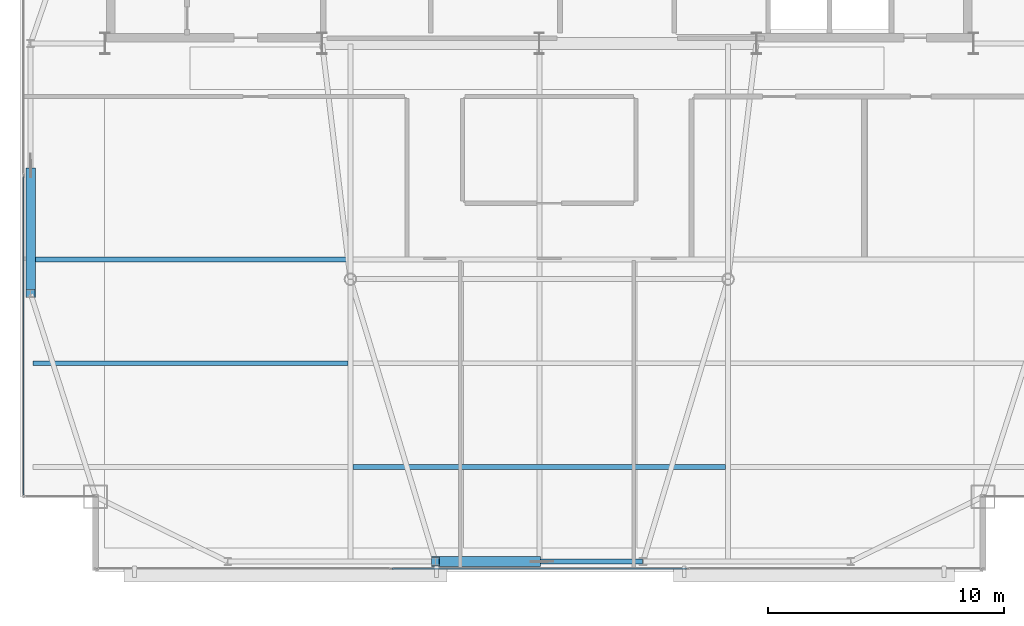
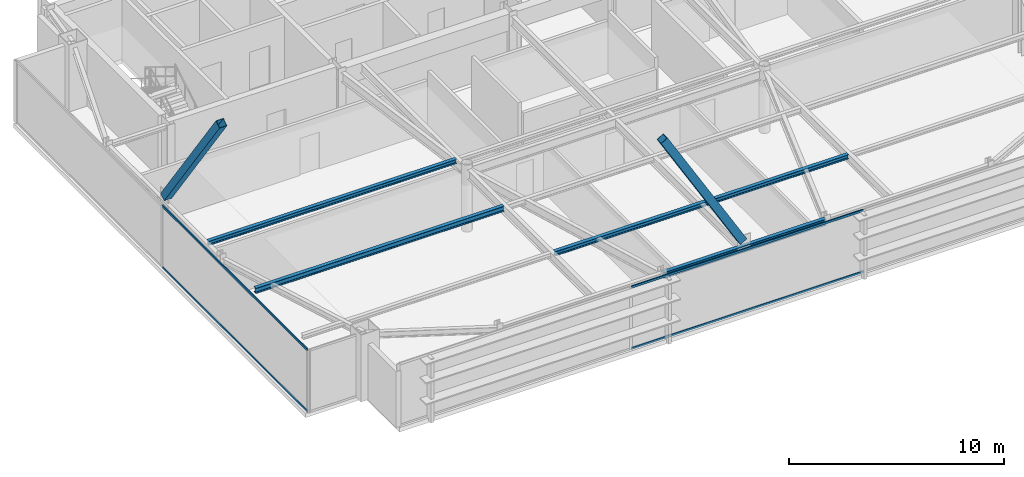
# One storey, part 7 of 24: 6 members, 4 beams, 2 elements without a shape of their own.
"""IFC4 building model written with IfcOpenShell, lengths in metres."""

import ifcopenshell
import ifcopenshell.guid

model = None  # the IFC model being written
_history = None  # IfcOwnerHistory: only IFC2X3 demands one
_inside = {}  # id of a spatial element -> (the spatial element, [elements in it])
_under = {}  # id of a project, library or spatial element -> (it, [spatial elements below it])
_declared = {}  # id of a project -> (the project, [libraries it declares])
_typed = {}  # id of a type object -> (the type object, [elements of that type])
_made_of = {}  # id of a material, layer set ... -> (it, [elements and type objects made of it])


def new_model(schema):
    """Start an empty IFC model of exactly this schema.

    Asked for "IFC4X3", IfcOpenShell would pick the latest addendum, in which some entities
    have other attributes; the version numbers below select the first issue.
    IFC2X3 requires an IfcOwnerHistory on every rooted entity: one is made here for all.
    """
    global model, _history
    if schema == "IFC4X3":
        model = ifcopenshell.file(schema_version=(4, 3, 0, 0))
    else:
        model = ifcopenshell.file(schema=schema)
    _inside.clear()
    _under.clear()
    _declared.clear()
    _typed.clear()
    _made_of.clear()
    _history = None
    if model.schema == "IFC2X3":
        org = make("IfcOrganization", Name="unknown")
        user = make(
            "IfcPersonAndOrganization",
            ThePerson=make("IfcPerson", FamilyName="unknown"),
            TheOrganization=org,
        )
        app = make(
            "IfcApplication",
            ApplicationDeveloper=org,
            Version="unknown",
            ApplicationFullName="unknown",
            ApplicationIdentifier="unknown",
        )
        _history = make(
            "IfcOwnerHistory",
            OwningUser=user,
            OwningApplication=app,
            ChangeAction="ADDED",
            CreationDate=0,
        )
    return model


def make(cls, **values):
    """One entity of the class cls with the attributes given. An attribute that is None is left unset."""
    return model.create_entity(
        cls, **{name: value for name, value in values.items() if value is not None}
    )


def rooted(cls, **values):
    """An entity with a GlobalId (a new one), such as an element, a storey or a relation."""
    return make(cls, GlobalId=ifcopenshell.guid.new(), OwnerHistory=_history, **values)


def si_unit(unit_type, name, prefix=None):
    """IfcSIUnit, for example si_unit("LENGTHUNIT", "METRE", prefix="MILLI")."""
    return make("IfcSIUnit", UnitType=unit_type, Prefix=prefix, Name=name)


def assignment(units):
    """IfcUnitAssignment: the units of a project."""
    return None if units is None else make("IfcUnitAssignment", Units=units)


def point(xyz):
    """IfcCartesianPoint."""
    return None if xyz is None else make("IfcCartesianPoint", Coordinates=xyz)


def direction(xyz):
    """IfcDirection."""
    return None if xyz is None else make("IfcDirection", DirectionRatios=xyz)


def frame(location, z_axis=None, x_axis=None):
    """IfcAxis2Placement3D, a coordinate frame: its origin and axes. An axis left out is left unset."""
    return make(
        "IfcAxis2Placement3D",
        Location=point(location),
        Axis=direction(z_axis),
        RefDirection=direction(x_axis),
    )


def frame_2d(location, x_axis=None):
    """IfcAxis2Placement2D, a coordinate frame in the plane: its origin and x axis."""
    return make(
        "IfcAxis2Placement2D", Location=point(location), RefDirection=direction(x_axis)
    )


def origin():
    """The frame at (0, 0, 0) with its axes left unset."""
    return frame((0.0, 0.0, 0.0))


def origin_2d():
    """The frame at (0, 0) in the plane with its x axis left unset."""
    return frame_2d((0.0, 0.0))


def place(relative_to, where):
    """IfcLocalPlacement: puts the frame where relative to a parent placement (None: the world)."""
    return make(
        "IfcLocalPlacement", PlacementRelTo=relative_to, RelativePlacement=where
    )


def context(
    kind, dimensions, precision=None, world=None, true_north=None, identifier=None
):
    """IfcGeometricRepresentationContext, for example the 3D "Model" context."""
    return make(
        "IfcGeometricRepresentationContext",
        ContextIdentifier=identifier,
        ContextType=kind,
        CoordinateSpaceDimension=dimensions,
        Precision=precision,
        WorldCoordinateSystem=world,
        TrueNorth=true_north,
    )


def subcontext(parent, identifier, kind, view, scale=None):
    """IfcGeometricRepresentationSubContext, for example "Body" below "Model"."""
    return make(
        "IfcGeometricRepresentationSubContext",
        ContextIdentifier=identifier,
        ContextType=kind,
        ParentContext=parent,
        TargetScale=scale,
        TargetView=view,
    )


def project(units=None, contexts=None):
    """IfcProject with its units and contexts."""
    return rooted(
        "IfcProject",
        Name="project",
        RepresentationContexts=contexts,
        UnitsInContext=assignment(units),
    )


def spatial(cls, under=None, at=None, **own):
    """A site, building, storey or space (cls), placed at a placement, below another one or the project."""
    s = rooted(cls, ObjectPlacement=at, **own)
    if under is not None:
        _under.setdefault(under.id(), (under, []))[1].append(s)
    return s


def profile(cls, at=None, kind="AREA", **sizes):
    """A parametric profile (cls). Its sizes go by their IFC names, for example OverallWidth=200.0."""
    return make(cls, ProfileType=kind, Position=at, **sizes)


def hollow_rectangle(**sizes):
    """IfcRectangleHollowProfileDef."""
    return profile("IfcRectangleHollowProfileDef", **sizes)


def i_section(**sizes):
    """IfcIShapeProfileDef."""
    return profile("IfcIShapeProfileDef", **sizes)


def extrude(swept, where, along, depth):
    """IfcExtrudedAreaSolid: the profile swept, set in the frame where, extruded along a direction by depth."""
    return make(
        "IfcExtrudedAreaSolid",
        SweptArea=swept,
        Position=where,
        ExtrudedDirection=direction(along),
        Depth=depth,
    )


def shape(context_of_items, identifier, shape_type, items):
    """IfcShapeRepresentation: the items that make up one representation, for example the "Body"."""
    return make(
        "IfcShapeRepresentation",
        ContextOfItems=context_of_items,
        RepresentationIdentifier=identifier,
        RepresentationType=shape_type,
        Items=items,
    )


def source(mapping_origin, context_of_items, identifier, shape_type, items):
    """IfcRepresentationMap: a shape defined once, which mapped items show again and again."""
    return make(
        "IfcRepresentationMap",
        MappingOrigin=mapping_origin,
        MappedRepresentation=shape(context_of_items, identifier, shape_type, items),
    )


def transform(
    local_origin,
    x_axis=None,
    y_axis=None,
    z_axis=None,
    scale=None,
    scale2=None,
    scale3=None,
    uniform=True,
):
    """IfcCartesianTransformationOperator3D, or its non-uniform kind. x_axis, y_axis, z_axis: its Axis1, 2, 3."""
    if uniform:
        return make(
            "IfcCartesianTransformationOperator3D",
            Axis1=direction(x_axis),
            Axis2=direction(y_axis),
            LocalOrigin=point(local_origin),
            Scale=scale,
            Axis3=direction(z_axis),
        )
    return make(
        "IfcCartesianTransformationOperator3DnonUniform",
        Axis1=direction(x_axis),
        Axis2=direction(y_axis),
        LocalOrigin=point(local_origin),
        Scale=scale,
        Axis3=direction(z_axis),
        Scale2=scale2,
        Scale3=scale3,
    )


def mapped(mapping_source, mapping_target):
    """IfcMappedItem: shows the shape of a source again, moved by a transform."""
    return make(
        "IfcMappedItem", MappingSource=mapping_source, MappingTarget=mapping_target
    )


def material(Name=None, Category=None):
    """IfcMaterial."""
    return make("IfcMaterial", Name=Name, Category=Category)


def layer(
    of_material, thickness, ventilated=None, Name=None, Category=None, Priority=None
):
    """IfcMaterialLayer: one layer of a wall or slab, of a material (None: an air gap)."""
    return make(
        "IfcMaterialLayer",
        Material=of_material,
        LayerThickness=thickness,
        IsVentilated=ventilated,
        Name=Name,
        Category=Category,
        Priority=Priority,
    )


def layer_set(layers, Name=None):
    """IfcMaterialLayerSet."""
    return make("IfcMaterialLayerSet", MaterialLayers=layers, LayerSetName=Name)


def material_profile(
    of_material, cross_section, Name=None, Category=None, Priority=None
):
    """IfcMaterialProfile: a cross section and its material."""
    return make(
        "IfcMaterialProfile",
        Name=Name,
        Material=of_material,
        Profile=cross_section,
        Priority=Priority,
        Category=Category,
    )


def profile_set(profiles, Name=None, composite=None):
    """IfcMaterialProfileSet."""
    return make(
        "IfcMaterialProfileSet",
        Name=Name,
        MaterialProfiles=profiles,
        CompositeProfile=composite,
    )


def made_of(thing, what):
    """Note that an element or type object is made of a material, layer set ...; save() writes the relation."""
    if what is not None:
        _made_of.setdefault(what.id(), (what, []))[1].append(thing)
    return thing


def type_object(cls, material=None, **own):
    """A type object (cls), such as IfcWallType, which elements share."""
    return made_of(rooted(cls, **own), material)


def type_shapes(of_type, sources):
    """Give a type object the sources (RepresentationMaps) that its elements show as mapped items."""
    of_type.RepresentationMaps = sources


def element(
    cls,
    number,
    at=None,
    inside=None,
    cuts=None,
    type_object=None,
    material=None,
    context=None,
    identifier="Body",
    shape_type=None,
    held_by="IfcProductDefinitionShape",
    body=None,
    shapes=None,
    **own,
):
    """One element of the class cls, such as IfcWall. Its Tag is "e" and its number.

    at: its placement. inside: the storey or other place that contains it. cuts: it is an
    opening in that element (IfcRelVoidsElement). A single representation is given by context,
    identifier, shape_type and body (its items); several are given by shapes. held_by: the class
    of the entity that holds the representations. save() writes the other relations.
    """
    e = rooted(cls, Tag="e%d" % number, ObjectPlacement=at, **own)
    if body is not None:
        shapes = [shape(context, identifier, shape_type, body)]
    if shapes is not None:
        e.Representation = make(held_by, Representations=shapes)
    if inside is not None:
        _inside.setdefault(inside.id(), (inside, []))[1].append(e)
    if cuts is not None:
        rooted(
            "IfcRelVoidsElement", RelatingBuildingElement=cuts, RelatedOpeningElement=e
        )
    if type_object is not None:
        _typed.setdefault(type_object.id(), (type_object, []))[1].append(e)
    return made_of(e, material)


def aggregate(whole, parts):
    """IfcRelAggregates: a whole, such as a stair, and the parts it consists of."""
    return rooted("IfcRelAggregates", RelatingObject=whole, RelatedObjects=parts)


def save(model, path):
    """Write the relations noted so far, then the file.

    IfcRelAggregates (storeys below a building ...), IfcRelContainedInSpatialStructure (elements
    in a storey), IfcRelDefinesByType, IfcRelAssociatesMaterial and IfcRelDeclares: one each for
    every whole, place, type object, material and project.
    """
    for whole, parts in _under.values():
        aggregate(whole, parts)
    for where, things in _inside.values():
        rooted(
            "IfcRelContainedInSpatialStructure",
            RelatedElements=things,
            RelatingStructure=where,
        )
    for kind, things in _typed.values():
        rooted("IfcRelDefinesByType", RelatedObjects=things, RelatingType=kind)
    for what, things in _made_of.values():
        rooted("IfcRelAssociatesMaterial", RelatedObjects=things, RelatingMaterial=what)
    for by, libraries in _declared.values():
        rooted("IfcRelDeclares", RelatingContext=by, RelatedDefinitions=libraries)
    model.write(path)


model = new_model("IFC4")

# Units and contexts
model_context = context("Model", 3, precision=1e-05, world=origin(), true_north=direction((0.0, 1.0)))
body_context = subcontext(model_context, "Body", "Model", "MODEL_VIEW")
ifc_project = project(units=[si_unit("LENGTHUNIT", "METRE"), si_unit("AREAUNIT", "SQUARE_METRE"), si_unit("VOLUMEUNIT", "CUBIC_METRE"), si_unit("PLANEANGLEUNIT", "RADIAN"), si_unit("MASSUNIT", "GRAM", prefix="KILO")], contexts=[model_context])

# Site, building, storey
site_placement = place(None, origin())
site = spatial("IfcSite", under=ifc_project, at=site_placement, CompositionType="ELEMENT")
building_placement = place(site_placement, origin())
building = spatial("IfcBuilding", under=site, at=building_placement, Name="Varnel Quay Broadcast Tower", CompositionType="ELEMENT")
storey_placement = place(building_placement, frame((0.0, 0.0, 277.39990234375)))
storey = spatial("IfcBuildingStorey", under=building, at=storey_placement, Name="L69", CompositionType="ELEMENT", Elevation=277.39990234375)

# Beams
ifc_material_1 = material(Name="Structural Steel CSA G40.21 350W", Category="steel")
ifc_material_profile_1 = material_profile(ifc_material_1, i_section(OverallWidth=0.205078125, OverallDepth=0.35400390625, WebThickness=0.009521484375, FlangeThickness=0.016845703125, FilletRadius=0.012939453125, at=origin_2d()), Name="W360X79")
ifc_profile_set_1 = profile_set([ifc_material_profile_1], Name="Structural Steel CSA G40.21 350W")
beam_type_1 = type_object("IfcBeamType", Name="Beam_W360X79", PredefinedType="SPANDREL", material=ifc_profile_set_1)
shared_shape_1 = source(origin(), body_context, "Body", "SweptSolid", [
    extrude(i_section(OverallWidth=0.205078125, OverallDepth=0.35400390625, WebThickness=0.009521484375, FlangeThickness=0.016845703125, FilletRadius=0.012939453125, at=origin_2d()), origin(), (0.0, 0.0, 1.0), 8.759765625),
])
type_shapes(beam_type_1, [shared_shape_1])
beam_1_placement = place(storey_placement, frame((29.6201171875, 13.64990234375, 3.373046875), z_axis=(1.0, 0.0, 0.0), x_axis=(0.0, 1.0, 0.0)))
element("IfcBeam", 1, at=beam_1_placement, inside=storey, type_object=beam_type_1, Name="L69 South Spandrel TC-S2-TC-S3", PredefinedType="SPANDREL", context=body_context, shape_type="MappedRepresentation", body=[
    mapped(shared_shape_1, transform((0.0, 0.0, 0.0), x_axis=(1.0, 0.0, 0.0), y_axis=(0.0, 1.0, 0.0), z_axis=(0.0, 0.0, 1.0), scale=1.0)),
])
ifc_material_profile_2 = material_profile(ifc_material_1, i_section(OverallWidth=0.201904296875, OverallDepth=0.2470703125, WebThickness=0.00732421875, FlangeThickness=0.010986328125, FilletRadius=0.010986328125, at=origin_2d()), Name="W250X49")
ifc_profile_set_2 = profile_set([ifc_material_profile_2], Name="Structural Steel CSA G40.21 350W")
beam_type_2 = type_object("IfcBeamType", Name="Beam_W250X49", PredefinedType="JOIST", material=ifc_profile_set_2)
shared_shape_2 = source(origin(), body_context, "Body", "SweptSolid", [
    extrude(i_section(OverallWidth=0.201904296875, OverallDepth=0.2470703125, WebThickness=0.00732421875, FlangeThickness=0.010986328125, FilletRadius=0.010986328125, at=origin_2d()), origin(), (0.0, 0.0, 1.0), 13.351318359375),
])
beam_2_placement = place(storey_placement, frame((12.547607421875, 26.449951171875, 3.426513671875), z_axis=(1.0, 0.0, 0.0), x_axis=(0.0, 1.0, 0.0)))
element("IfcBeam", 2, at=beam_2_placement, inside=storey, type_object=beam_type_2, Name="L69 West Floor Joist 3", PredefinedType="JOIST", context=body_context, shape_type="MappedRepresentation", body=[
    mapped(shared_shape_2, transform((0.0, 0.0, 0.0), x_axis=(1.0, 0.0, 0.0), y_axis=(0.0, 1.0, 0.0), z_axis=(0.0, 0.0, 1.0), scale=1.0)),
])
shared_shape_3 = source(origin(), body_context, "Body", "SweptSolid", [
    extrude(i_section(OverallWidth=0.201904296875, OverallDepth=0.2470703125, WebThickness=0.00732421875, FlangeThickness=0.010986328125, FilletRadius=0.010986328125, at=origin_2d()), origin(), (0.0, 0.0, 1.0), 15.7978515625),
])
type_shapes(beam_type_2, [shared_shape_2, shared_shape_3])
beam_3_placement = place(storey_placement, frame((26.10107421875, 17.64990234375, 3.426513671875), z_axis=(1.0, 0.0, 0.0), x_axis=(0.0, 1.0, 0.0)))
element("IfcBeam", 3, at=beam_3_placement, inside=storey, type_object=beam_type_2, Name="L69 Central Floor Joist 1", PredefinedType="JOIST", context=body_context, shape_type="MappedRepresentation", body=[
    mapped(shared_shape_3, transform((0.0, 0.0, 0.0), x_axis=(1.0, 0.0, 0.0), y_axis=(0.0, 1.0, 0.0), z_axis=(0.0, 0.0, 1.0), scale=1.0)),
])
ifc_material_profile_3 = material_profile(ifc_material_1, i_section(OverallWidth=0.202880859375, OverallDepth=0.302978515625, WebThickness=0.007568359375, FlangeThickness=0.01318359375, FilletRadius=0.011962890625, at=origin_2d()), Name="W310X60")
ifc_profile_set_3 = profile_set([ifc_material_profile_3], Name="Structural Steel CSA G40.21 350W")
beam_type_3 = type_object("IfcBeamType", Name="Beam_W310X60", PredefinedType="JOIST", material=ifc_profile_set_3)
shared_shape_4 = source(origin(), body_context, "Body", "SweptSolid", [
    extrude(i_section(OverallWidth=0.202880859375, OverallDepth=0.302978515625, WebThickness=0.007568359375, FlangeThickness=0.01318359375, FilletRadius=0.011962890625, at=origin_2d()), origin(), (0.0, 0.0, 1.0), 13.351318359375),
])
type_shapes(beam_type_3, [shared_shape_4])
beam_4_placement = place(storey_placement, frame((12.547607421875, 22.050048828125, 3.398681640625), z_axis=(1.0, 0.0, 0.0), x_axis=(0.0, 1.0, 0.0)))
element("IfcBeam", 4, at=beam_4_placement, inside=storey, type_object=beam_type_3, Name="L69 West Floor Joist 2", PredefinedType="JOIST", context=body_context, shape_type="MappedRepresentation", body=[
    mapped(shared_shape_4, transform((0.0, 0.0, 0.0), x_axis=(1.0, 0.0, 0.0), y_axis=(0.0, 1.0, 0.0), z_axis=(0.0, 0.0, 1.0), scale=1.0)),
])

# Members
ifc_material_profile_4 = material_profile(ifc_material_1, hollow_rectangle(XDim=0.406005859375, YDim=0.406005859375, WallThickness=0.01611328125, at=origin_2d()), Name="HSS406X406X16")
ifc_profile_set_4 = profile_set([ifc_material_profile_4], Name="Structural Steel CSA G40.21 350W")
member_type_1 = type_object("IfcMemberType", Name="Brace_HSS406X406X16", PredefinedType="BRACE", material=ifc_profile_set_4)
shared_shape_5 = source(origin(), body_context, "Body", "SweptSolid", [
    extrude(hollow_rectangle(XDim=0.406005859375, YDim=0.406005859375, WallThickness=0.01611328125, at=origin_2d()), origin(), (0.0, 0.0, 1.0), 8.399658203125),
])
member_1_placement = place(storey_placement, frame((33.869384765625, 13.64990234375, 3.896240234375), z_axis=(-0.508263126145, 0.0, 0.861201831513), x_axis=(0.0, -1.0, 0.0)))
element("IfcMember", 5, at=member_1_placement, inside=storey, type_object=member_type_1, Name="Zone 5 Mega-Brace S-C1T2 Split Diag B2", PredefinedType="BRACE", context=body_context, shape_type="MappedRepresentation", body=[
    mapped(shared_shape_5, transform((0.0, 0.0, 0.0), x_axis=(1.0, 0.0, 0.0), y_axis=(0.0, 1.0, 0.0), z_axis=(0.0, 0.0, 1.0), scale=1.0)),
])
shared_shape_6 = source(origin(), body_context, "Body", "SweptSolid", [
    extrude(hollow_rectangle(XDim=0.406005859375, YDim=0.406005859375, WallThickness=0.01611328125, at=origin_2d()), origin(), (0.0, 0.0, 1.0), 8.906982421875),
])
type_shapes(member_type_1, [shared_shape_5, shared_shape_6])
member_2_placement = place(storey_placement, frame((12.449951171875, 30.160888671875, 3.87060546875), z_axis=(0.0, -0.579416578222, 0.81503155085), x_axis=(1.0, 0.0, 0.0)))
element("IfcMember", 6, at=member_2_placement, inside=storey, type_object=member_type_1, Name="Zone 5 Mega-Brace W-FT2 Split Diag B2", PredefinedType="BRACE", context=body_context, shape_type="MappedRepresentation", body=[
    mapped(shared_shape_6, transform((0.0, 0.0, 0.0), x_axis=(1.0, 0.0, 0.0), y_axis=(0.0, 1.0, 0.0), z_axis=(0.0, 0.0, 1.0), scale=1.0)),
])

# Curtain wall, members
ifc_material_2 = material(Name="Anodised Bronze Aluminium 6063-T6", Category="aluminium")
ifc_layer = layer(ifc_material_2, 0.18994140625, Name="Anodised Bronze Aluminium 6063-T6")
ifc_layer_set = layer_set([ifc_layer], Name="Anodised Bronze Aluminium 6063-T6")
curtain_wall_type = type_object("IfcCurtainWallType", Name="CW_UpperTower", PredefinedType="NOTDEFINED", material=ifc_layer_set)
curtain_wall_1_placement = place(storey_placement, origin())
curtain_wall_1 = element("IfcCurtainWall", 7, at=curtain_wall_1_placement, inside=storey, type_object=curtain_wall_type, Name="L69 West Unitised Curtain Wall", PredefinedType="NOTDEFINED")
ifc_material_profile_5 = material_profile(ifc_material_2, hollow_rectangle(XDim=0.06005859375, YDim=0.125, WallThickness=0.0029296875, at=origin_2d()), Name="ALU60X125X3")
ifc_profile_set_5 = profile_set([ifc_material_profile_5], Name="Anodised Bronze Aluminium 6063-T6")
member_type_2 = type_object("IfcMemberType", Name="Tran_CWS-03", PredefinedType="USERDEFINED", material=ifc_profile_set_5)
shared_shape_7 = source(origin(), body_context, "Body", "SweptSolid", [
    extrude(hollow_rectangle(XDim=0.06005859375, YDim=0.125, WallThickness=0.0029296875, at=origin_2d()), origin(), (0.0, 0.0, 1.0), 13.50244140625),
])
member_3_placement = place(storey_placement, frame((12.14990234375, 16.465087890625, 0.030029296875), z_axis=(0.0, 1.0, 0.0), x_axis=(-1.0, 0.0, 0.0)))
member_3 = element("IfcMember", 8, at=member_3_placement, type_object=member_type_2, Name="CWS-03 transom 1.1", ObjectType="TRANSOM", PredefinedType="USERDEFINED", context=body_context, shape_type="MappedRepresentation", body=[
    mapped(shared_shape_7, transform((0.0, 0.0, 0.0), x_axis=(1.0, 0.0, 0.0), y_axis=(0.0, 1.0, 0.0), z_axis=(0.0, 0.0, 1.0), scale=1.0)),
])
member_4_placement = place(storey_placement, frame((12.14990234375, 16.465087890625, 3.52001953125), z_axis=(0.0, 1.0, 0.0), x_axis=(-1.0, 0.0, 0.0)))
member_4 = element("IfcMember", 9, at=member_4_placement, type_object=member_type_2, Name="CWS-03 transom 1.2", ObjectType="TRANSOM", PredefinedType="USERDEFINED", context=body_context, shape_type="MappedRepresentation", body=[
    mapped(shared_shape_7, transform((0.0, 0.0, 0.0), x_axis=(1.0, 0.0, 0.0), y_axis=(0.0, 1.0, 0.0), z_axis=(0.0, 0.0, 1.0), scale=1.0)),
])
aggregate(curtain_wall_1, [member_3, member_4])

curtain_wall_2_placement = place(storey_placement, origin())
curtain_wall_2 = element("IfcCurtainWall", 10, at=curtain_wall_2_placement, inside=storey, type_object=curtain_wall_type, Name="L69 South Unitised Curtain Wall 1", PredefinedType="NOTDEFINED")
shared_shape_8 = source(origin(), body_context, "Body", "SweptSolid", [
    extrude(hollow_rectangle(XDim=0.06005859375, YDim=0.125, WallThickness=0.0029296875, at=origin_2d()), origin(), (0.0, 0.0, 1.0), 12.46826171875),
])
type_shapes(member_type_2, [shared_shape_7, shared_shape_8])
member_5_placement = place(storey_placement, frame((27.765869140625, 13.35009765625, 0.030029296875), z_axis=(1.0, 0.0, 0.0), x_axis=(0.0, 1.0, 0.0)))
member_5 = element("IfcMember", 11, at=member_5_placement, type_object=member_type_2, Name="CWS-03 transom 2.1", ObjectType="TRANSOM", PredefinedType="USERDEFINED", context=body_context, shape_type="MappedRepresentation", body=[
    mapped(shared_shape_8, transform((0.0, 0.0, 0.0), x_axis=(1.0, 0.0, 0.0), y_axis=(0.0, 1.0, 0.0), z_axis=(0.0, 0.0, 1.0), scale=1.0)),
])
member_6_placement = place(storey_placement, frame((27.765869140625, 13.35009765625, 3.52001953125), z_axis=(1.0, 0.0, 0.0), x_axis=(0.0, 1.0, 0.0)))
member_6 = element("IfcMember", 12, at=member_6_placement, type_object=member_type_2, Name="CWS-03 transom 2.2", ObjectType="TRANSOM", PredefinedType="USERDEFINED", context=body_context, shape_type="MappedRepresentation", body=[
    mapped(shared_shape_8, transform((0.0, 0.0, 0.0), x_axis=(1.0, 0.0, 0.0), y_axis=(0.0, 1.0, 0.0), z_axis=(0.0, 0.0, 1.0), scale=1.0)),
])
aggregate(curtain_wall_2, [member_5, member_6])

save(model, "model.ifc")
